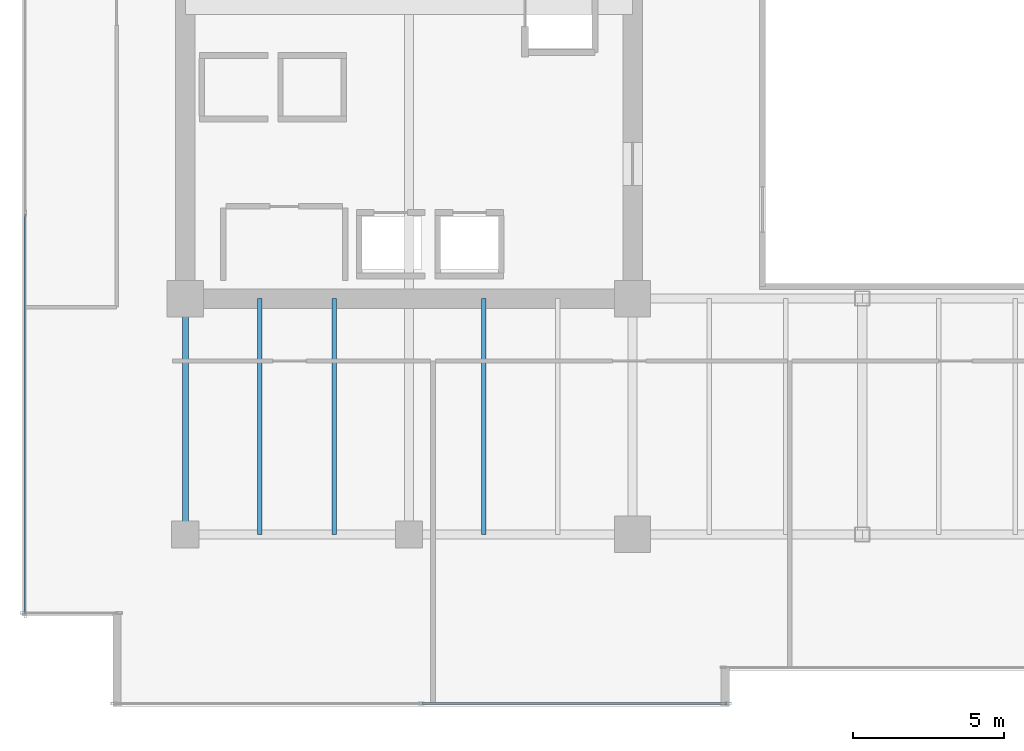
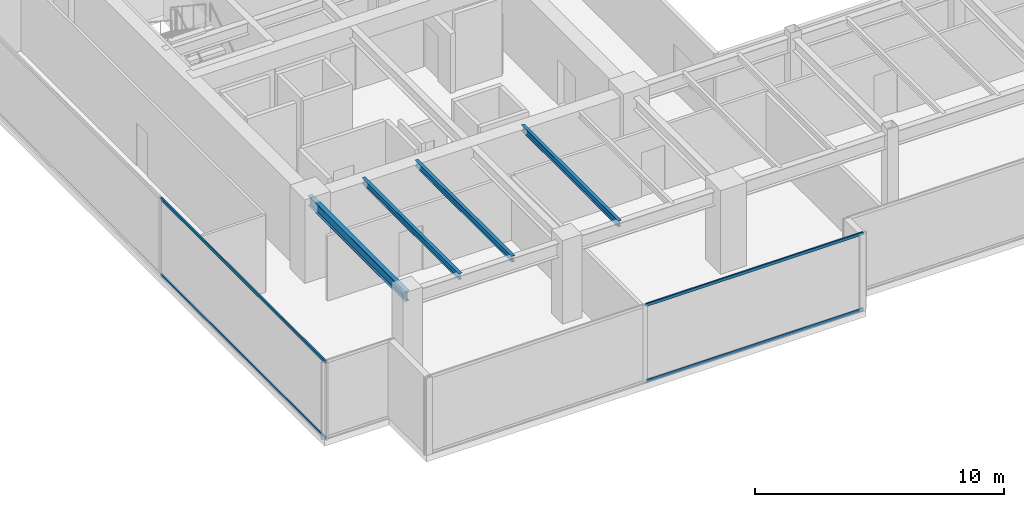
# One storey, part 3 of 30: 4 beams, 4 members, 2 elements without a shape of their own.
"""IFC4 building model written with IfcOpenShell, lengths in metres."""

from ifc_helpers import new_model, si_unit, direction, frame, origin, origin_2d, place, context, subcontext, project, spatial, hollow_rectangle, i_section, extrude, source, transform, mapped, material, layer, layer_set, material_profile, profile_set, type_object, type_shapes, element, aggregate, save


model = new_model("IFC4")

# Units and contexts
model_context = context("Model", 3, precision=1e-05, world=origin(), true_north=direction((0.0, 1.0)))
body_context = subcontext(model_context, "Body", "Model", "MODEL_VIEW")
ifc_project = project(units=[si_unit("LENGTHUNIT", "METRE"), si_unit("AREAUNIT", "SQUARE_METRE"), si_unit("VOLUMEUNIT", "CUBIC_METRE"), si_unit("PLANEANGLEUNIT", "RADIAN"), si_unit("MASSUNIT", "GRAM", prefix="KILO")], contexts=[model_context])

# Site, building, storey
site_placement = place(None, origin())
site = spatial("IfcSite", under=ifc_project, at=site_placement, CompositionType="ELEMENT")
building_placement = place(site_placement, origin())
building = spatial("IfcBuilding", under=site, at=building_placement, Name="Haelvirn Gate Laboratories", CompositionType="ELEMENT")
storey_placement = place(building_placement, frame((0.0, 0.0, 183.0)))
storey = spatial("IfcBuildingStorey", under=building, at=storey_placement, Name="L44", CompositionType="ELEMENT", Elevation=183.0)

# Beams
ifc_material_1 = material(Name="Steel SM355", Category="steel")
ifc_material_profile_1 = material_profile(ifc_material_1, i_section(OverallWidth=0.199951171875, OverallDepth=0.5, WebThickness=0.010009765625, FlangeThickness=0.01611328125, at=origin_2d()), Name="H-500x200x10x16")
ifc_profile_set_1 = profile_set([ifc_material_profile_1], Name="Steel SM355")
beam_type_1 = type_object("IfcBeamType", Name="BM-SP-500", PredefinedType="SPANDREL", material=ifc_profile_set_1)
shared_shape_1 = source(origin(), body_context, "Body", "SweptSolid", [
    extrude(i_section(OverallWidth=0.199951171875, OverallDepth=0.5, WebThickness=0.010009765625, FlangeThickness=0.01611328125, at=origin_2d()), origin(), (0.0, 0.0, 1.0), 7.800048828125),
])
type_shapes(beam_type_1, [shared_shape_1])
beam_placement = place(storey_placement, frame((7.39990234375, 7.0, 3.5400390625), z_axis=(0.0, 1.0, 0.0), x_axis=(-1.0, 0.0, 0.0)))
element("IfcBeam", 1, at=beam_placement, inside=storey, type_object=beam_type_1, Name="L44 Perimeter Spandrel X7.4 (7.0-14.8)", PredefinedType="SPANDREL", context=body_context, shape_type="MappedRepresentation", body=[
    mapped(shared_shape_1, transform((0.0, 0.0, 0.0), scale=1.0)),
])
ifc_material_profile_2 = material_profile(ifc_material_1, i_section(OverallWidth=0.14990234375, OverallDepth=0.300048828125, WebThickness=0.006591796875, FlangeThickness=0.009033203125, at=origin_2d()), Name="H-300x150x6.5x9")
ifc_profile_set_2 = profile_set([ifc_material_profile_2], Name="Steel SM355")
beam_type_2 = type_object("IfcBeamType", Name="BM-J-300", PredefinedType="JOIST", material=ifc_profile_set_2)
shared_shape_2 = source(origin(), body_context, "Body", "SweptSolid", [
    extrude(i_section(OverallWidth=0.14990234375, OverallDepth=0.300048828125, WebThickness=0.006591796875, FlangeThickness=0.009033203125, at=origin_2d()), origin(), (0.0, 0.0, 1.0), 7.800048828125),
])
type_shapes(beam_type_2, [shared_shape_2])
for number, where, z_axis, x_axis, name in (
    (2, (9.8701171875, 7.0, 3.639892578125), (0.0, 1.0, 0.0), (-1.0, 0.0, 0.0), "L44 Composite Lab Joist South X9.87"),
    (3, (12.330078125, 7.0, 3.639892578125), (0.0, 1.0, 0.0), (-1.0, 0.0, 0.0), "L44 Composite Lab Joist South X12.33"),
    (4, (17.27001953125, 7.0, 3.639892578125), (0.0, 1.0, 0.0), (-1.0, 0.0, 0.0), "L44 Composite Lab Joist South X17.27"),
):
    element("IfcBeam", number, at=place(storey_placement, frame(where, z_axis=z_axis, x_axis=x_axis)), inside=storey, type_object=beam_type_2, Name=name, PredefinedType="JOIST", context=body_context, shape_type="MappedRepresentation", body=[
        mapped(shared_shape_2, transform((0.0, 0.0, 0.0), scale=1.0)),
    ])

# Curtain wall, members
ifc_material_2 = material(Name="Anodised bronze unitised aluminium & triple low-E glass", Category="aluminium")
ifc_layer = layer(ifc_material_2, 0.179931640625, Name="CW-SYS-3")
ifc_layer_set = layer_set([ifc_layer], Name="Anodised bronze unitised aluminium & triple low-E glass")
curtain_wall_type = type_object("IfcCurtainWallType", Name="CW-SYS-3", PredefinedType="NOTDEFINED", material=ifc_layer_set)
curtain_wall_1_placement = place(storey_placement, origin())
curtain_wall_1 = element("IfcCurtainWall", 5, at=curtain_wall_1_placement, inside=storey, type_object=curtain_wall_type, Name="L44 Unitised Curtain Wall CW-L44-P0-E00-1", PredefinedType="NOTDEFINED")
ifc_material_3 = material(Name="Extruded aluminium 6063-T6 (anodised bronze)", Category="aluminium")
ifc_material_profile_3 = material_profile(ifc_material_3, hollow_rectangle(XDim=0.06494140625, YDim=0.139892578125, WallThickness=0.00390625, at=origin_2d()), Name="CWT-140x65x4")
ifc_profile_set_3 = profile_set([ifc_material_profile_3], Name="Extruded aluminium 6063-T6 (anodised bronze)")
member_type = type_object("IfcMemberType", Name="CWT-T140", PredefinedType="USERDEFINED", material=ifc_profile_set_3)
shared_shape_3 = source(origin(), body_context, "Body", "SweptSolid", [
    extrude(hollow_rectangle(XDim=0.06494140625, YDim=0.139892578125, WallThickness=0.00390625, at=origin_2d()), origin(), (0.0, 0.0, 1.0), 10.08740234375),
])
member_1_placement = place(storey_placement, frame((15.237548828125, 1.39990234375, 0.032470703125), z_axis=(1.0, 0.0, 0.0), x_axis=(0.0, 1.0, 0.0)))
member_1 = element("IfcMember", 6, at=member_1_placement, type_object=member_type, Name="CW3 transom 2.1", ObjectType="TRANSOM", PredefinedType="USERDEFINED", context=body_context, shape_type="MappedRepresentation", body=[
    mapped(shared_shape_3, transform((0.0, 0.0, 0.0), scale=1.0)),
])
member_2_placement = place(storey_placement, frame((15.237548828125, 1.39990234375, 3.757568359375), z_axis=(1.0, 0.0, 0.0), x_axis=(0.0, 1.0, 0.0)))
member_2 = element("IfcMember", 7, at=member_2_placement, type_object=member_type, Name="CW3 transom 2.2", ObjectType="TRANSOM", PredefinedType="USERDEFINED", context=body_context, shape_type="MappedRepresentation", body=[
    mapped(shared_shape_3, transform((0.0, 0.0, 0.0), scale=1.0)),
])
aggregate(curtain_wall_1, [member_1, member_2])

curtain_wall_2_placement = place(storey_placement, origin())
curtain_wall_2 = element("IfcCurtainWall", 8, at=curtain_wall_2_placement, inside=storey, type_object=curtain_wall_type, Name="L44 Unitised Curtain Wall CW-L44-P0-E17", PredefinedType="NOTDEFINED")
shared_shape_4 = source(origin(), body_context, "Body", "SweptSolid", [
    extrude(hollow_rectangle(XDim=0.06494140625, YDim=0.139892578125, WallThickness=0.00390625, at=origin_2d()), origin(), (0.0, 0.0, 1.0), 13.220947265625),
])
type_shapes(member_type, [shared_shape_3, shared_shape_4])
member_3_placement = place(storey_placement, frame((2.10009765625, 17.595947265625, 0.032470703125), z_axis=(0.0, -1.0, 0.0), x_axis=(1.0, 0.0, 0.0)))
member_3 = element("IfcMember", 9, at=member_3_placement, type_object=member_type, Name="CW3 transom 3.1", ObjectType="TRANSOM", PredefinedType="USERDEFINED", context=body_context, shape_type="MappedRepresentation", body=[
    mapped(shared_shape_4, transform((0.0, 0.0, 0.0), scale=1.0)),
])
member_4_placement = place(storey_placement, frame((2.10009765625, 17.595947265625, 3.757568359375), z_axis=(0.0, -1.0, 0.0), x_axis=(1.0, 0.0, 0.0)))
member_4 = element("IfcMember", 10, at=member_4_placement, type_object=member_type, Name="CW3 transom 3.2", ObjectType="TRANSOM", PredefinedType="USERDEFINED", context=body_context, shape_type="MappedRepresentation", body=[
    mapped(shared_shape_4, transform((0.0, 0.0, 0.0), scale=1.0)),
])
aggregate(curtain_wall_2, [member_3, member_4])

save(model, "model.ifc")
